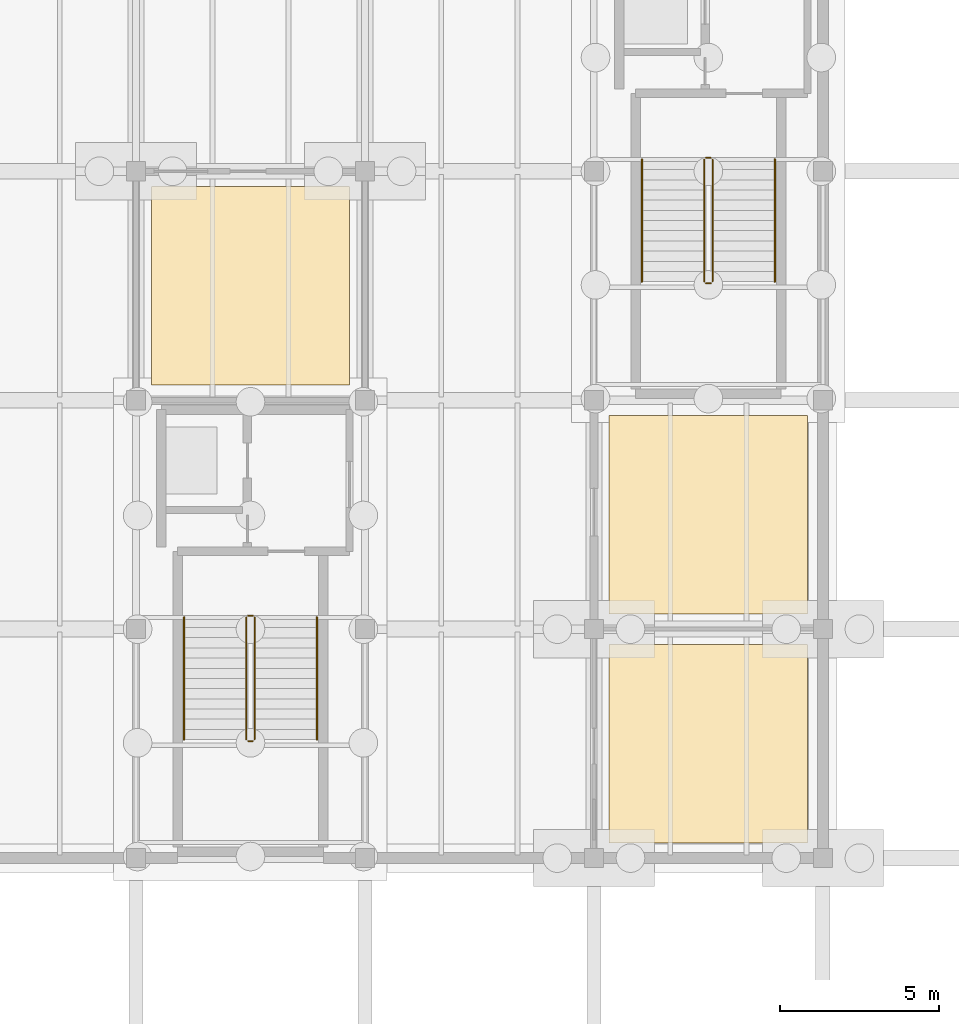
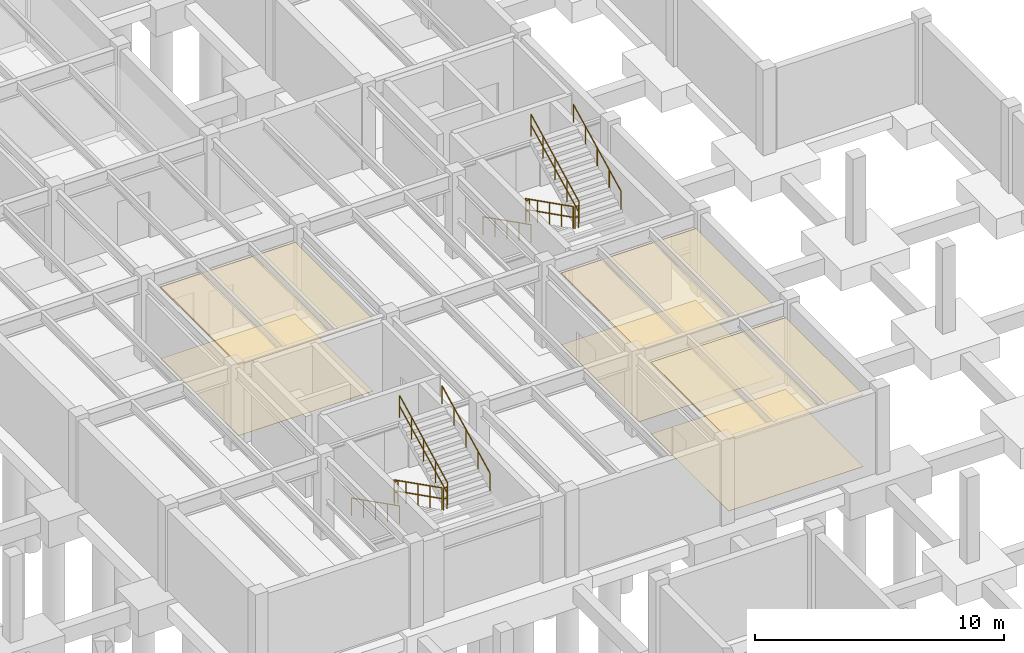
# One storey, part 42 of 46: 12 railings, 6 coverings.
"""IFC4 building model written with IfcOpenShell, lengths in metres."""

from ifc_helpers import new_model, si_unit, direction, frame, origin, origin_2d, place, context, subcontext, project, spatial, polyline, circle, outline, extrude, material, layer, layer_set, type_object, element, save


model = new_model("IFC4")

# Units and contexts
model_context = context("Model", 3, precision=1e-05, world=origin(), true_north=direction((0.0, 1.0)))
body_context = subcontext(model_context, "Body", "Model", "MODEL_VIEW")
ifc_project = project(units=[si_unit("LENGTHUNIT", "METRE"), si_unit("AREAUNIT", "SQUARE_METRE"), si_unit("VOLUMEUNIT", "CUBIC_METRE"), si_unit("PLANEANGLEUNIT", "RADIAN"), si_unit("MASSUNIT", "GRAM", prefix="KILO")], contexts=[model_context])

# Site, building, storey
site_placement = place(None, origin())
site = spatial("IfcSite", under=ifc_project, at=site_placement, CompositionType="ELEMENT")
building_placement = place(site_placement, origin())
building = spatial("IfcBuilding", under=site, at=building_placement, Name="Sillqori Civic Hall", CompositionType="ELEMENT")
storey_placement = place(building_placement, frame((0.0, 0.0, -4.199951171875)))
storey = spatial("IfcBuildingStorey", under=building, at=storey_placement, Name="B01", CompositionType="ELEMENT", Elevation=-4.199951171875)

# Coverings
ifc_material_1 = material(Name="Acoustic Gypsum Board Assembly 28", Category="gypsum")
ifc_layer_1 = layer(ifc_material_1, 0.028076171875)
ifc_layer_set_1 = layer_set([ifc_layer_1], Name="Acoustic Gypsum Board Assembly 28")
covering_type_1 = type_object("IfcCoveringType", Name="COV-CEIL-G28", PredefinedType="CEILING", material=ifc_layer_set_1)
covering_1_placement = place(storey_placement, frame((0.0, 0.0, 3.501953125)))
element("IfcCovering", 1, at=covering_1_placement, inside=storey, type_object=covering_type_1, Name="Main Medium-Voltage Transformer Room B01-11 acoustic ceiling", PredefinedType="CEILING", context=body_context, shape_type="SweptSolid", body=[
    extrude(outline(polyline([(122.8798828125, 43.679931640625), (129.1201171875, 43.679931640625), (129.1201171875, 49.919921875), (122.8798828125, 49.919921875), (122.8798828125, 43.679931640625)])), origin(), (0.0, 0.0, 1.0), 0.028076171875),
])
ifc_material_2 = material(Name="Acoustic Wool Metal Plank 76", Category="aluminium")
ifc_layer_2 = layer(ifc_material_2, 0.075927734375)
ifc_layer_set_2 = layer_set([ifc_layer_2], Name="Acoustic Wool Metal Plank 76")
covering_type_2 = type_object("IfcCoveringType", Name="COV-CEIL-M76", PredefinedType="CEILING", material=ifc_layer_set_2)
covering_2_placement = place(storey_placement, frame((0.0, 0.0, 3.453857421875)))
element("IfcCovering", 2, at=covering_2_placement, inside=storey, type_object=covering_type_2, Name="Municipal Records Storage Vault acoustic ceiling", PredefinedType="CEILING", context=body_context, shape_type="SweptSolid", body=[
    extrude(outline(polyline([(108.47998046875, 50.8798828125), (114.719970703125, 50.8798828125), (114.719970703125, 57.1201171875), (108.47998046875, 57.1201171875), (108.47998046875, 50.8798828125)])), origin(), (0.0, 0.0, 1.0), 0.076171875),
])
ifc_material_3 = material(Name="Micro-Perforated Aluminium Plank Ceiling", Category="aluminium")
ifc_layer_3 = layer(ifc_material_3, 0.035888671875)
ifc_layer_set_3 = layer_set([ifc_layer_3], Name="Micro-Perforated Aluminium Plank Ceiling")
covering_type_3 = type_object("IfcCoveringType", Name="COV-CEIL-MET", PredefinedType="CEILING", material=ifc_layer_set_3)
covering_3_placement = place(storey_placement, frame((0.0, 0.0, 3.493896484375)))
element("IfcCovering", 3, at=covering_3_placement, inside=storey, type_object=covering_type_3, Name="Municipal Records Storage Vault B01-10 acoustic ceiling", PredefinedType="CEILING", context=body_context, shape_type="SweptSolid", body=[
    extrude(outline(polyline([(122.8798828125, 36.47998046875), (129.1201171875, 36.47998046875), (129.1201171875, 42.719970703125), (122.8798828125, 42.719970703125), (122.8798828125, 36.47998046875)])), origin(), (0.0, 0.0, 1.0), 0.0361328125),
])
ifc_material_4 = material(Name="Dust-Sealed Heavy-Duty Archive Epoxy", Category="resin")
ifc_layer_4 = layer(ifc_material_4, 0.014892578125)
ifc_layer_set_4 = layer_set([ifc_layer_4], Name="Dust-Sealed Heavy-Duty Archive Epoxy")
covering_type_4 = type_object("IfcCoveringType", Name="COV-FLR-EPX", PredefinedType="FLOORING", material=ifc_layer_set_4)
covering_4_placement = place(storey_placement, origin())
element("IfcCovering", 4, at=covering_4_placement, inside=storey, type_object=covering_type_4, Name="Municipal Records Storage Vault B01-10 floor finish", PredefinedType="FLOORING", context=body_context, shape_type="SweptSolid", body=[
    extrude(outline(polyline([(122.8798828125, 36.47998046875), (129.1201171875, 36.47998046875), (129.1201171875, 42.719970703125), (122.8798828125, 42.719970703125), (122.8798828125, 36.47998046875)])), origin(), (0.0, 0.0, 1.0), 0.014892578125),
])
covering_5_placement = place(storey_placement, origin())
element("IfcCovering", 5, at=covering_5_placement, inside=storey, type_object=covering_type_4, Name="Main Medium-Voltage Transformer Room B01-11 floor finish", PredefinedType="FLOORING", context=body_context, shape_type="SweptSolid", body=[
    extrude(outline(polyline([(122.8798828125, 43.679931640625), (129.1201171875, 43.679931640625), (129.1201171875, 49.919921875), (122.8798828125, 49.919921875), (122.8798828125, 43.679931640625)])), origin(), (0.0, 0.0, 1.0), 0.014892578125),
])
ifc_material_5 = material(Name="Seamless Polyurethane Acoustic Screed 12", Category="resin")
ifc_layer_5 = layer(ifc_material_5, 0.011962890625)
ifc_layer_set_5 = layer_set([ifc_layer_5], Name="Seamless Polyurethane Acoustic Screed 12")
covering_type_5 = type_object("IfcCoveringType", Name="COV-FLR-R12", PredefinedType="FLOORING", material=ifc_layer_set_5)
covering_6_placement = place(storey_placement, origin())
element("IfcCovering", 6, at=covering_6_placement, inside=storey, type_object=covering_type_5, Name="Municipal Records Storage Vault floor finish", PredefinedType="FLOORING", context=body_context, shape_type="SweptSolid", body=[
    extrude(outline(polyline([(108.47998046875, 50.8798828125), (114.719970703125, 50.8798828125), (114.719970703125, 57.1201171875), (108.47998046875, 57.1201171875), (108.47998046875, 50.8798828125)])), origin(), (0.0, 0.0, 1.0), 0.011962890625),
])

# Railings
ifc_material_6 = material(Name="Brushed Stainless Steel 316 Handrail", Category="steel")
ifc_layer_6 = layer(ifc_material_6, 0.044921875)
ifc_layer_set_6 = layer_set([ifc_layer_6], Name="Brushed Stainless Steel 316 Handrail")
railing_type_1 = type_object("IfcRailingType", Name="RLG-CORE-092", PredefinedType="HANDRAIL", material=ifc_layer_set_6)
railing_1_placement = place(storey_placement, frame((123.909912109375, 57.969970703125, 0.161376953125)))
element("IfcRailing", 7, at=railing_1_placement, inside=storey, type_object=railing_type_1, Name="B01 ST-02 stair handrail 1", PredefinedType="HANDRAIL", context=body_context, shape_type="SweptSolid", body=[
    extrude(circle(Radius=0.02392578125, at=origin_2d()), frame((0.0, 0.0, 0.8759765625), z_axis=(0.0, -0.892706606903, 0.450638340569), x_axis=(1.0, 0.0, 0.0)), (0.0, 0.0, 1.0), 4.301513671875),
    extrude(circle(Radius=0.02099609375, at=origin_2d()), origin(), (0.0, 0.0, 1.0), 0.851806640625),
    extrude(circle(Radius=0.02099609375, at=origin_2d()), frame((0.0, -0.9599609375, 0.484619140625)), (0.0, 0.0, 1.0), 0.851806640625),
    extrude(circle(Radius=0.02099609375, at=origin_2d()), frame((0.0, -1.919921875, 0.96923828125)), (0.0, 0.0, 1.0), 0.851806640625),
    extrude(circle(Radius=0.02099609375, at=origin_2d()), frame((0.0, -2.880126953125, 1.453857421875)), (0.0, 0.0, 1.0), 0.851806640625),
    extrude(circle(Radius=0.02099609375, at=origin_2d()), frame((0.0, -3.840087890625, 1.9384765625)), (0.0, 0.0, 1.0), 0.851806640625),
])
railing_2_placement = place(storey_placement, frame((128.090087890625, 54.1298828125, 2.261474609375)))
element("IfcRailing", 8, at=railing_2_placement, inside=storey, type_object=railing_type_1, Name="B01 ST-02 stair handrail 2", PredefinedType="HANDRAIL", context=body_context, shape_type="SweptSolid", body=[
    extrude(circle(Radius=0.02392578125, at=origin_2d()), frame((0.0, 0.0, 0.8759765625), z_axis=(0.0, 0.892706606903, 0.450638340569), x_axis=(-1.0, 0.0, 0.0)), (0.0, 0.0, 1.0), 4.301513671875),
    extrude(circle(Radius=0.02099609375, at=origin_2d()), origin(), (0.0, 0.0, 1.0), 0.851806640625),
    extrude(circle(Radius=0.02099609375, at=origin_2d()), frame((0.0, 0.9599609375, 0.484619140625)), (0.0, 0.0, 1.0), 0.851806640625),
    extrude(circle(Radius=0.02099609375, at=origin_2d()), frame((0.0, 1.919921875, 0.96923828125)), (0.0, 0.0, 1.0), 0.851806640625),
    extrude(circle(Radius=0.02099609375, at=origin_2d()), frame((0.0, 2.880126953125, 1.453857421875)), (0.0, 0.0, 1.0), 0.851806640625),
    extrude(circle(Radius=0.02099609375, at=origin_2d()), frame((0.0, 3.840087890625, 1.9384765625)), (0.0, 0.0, 1.0), 0.851806640625),
])
railing_3_placement = place(storey_placement, frame((109.510009765625, 43.570068359375, 0.161376953125)))
element("IfcRailing", 9, at=railing_3_placement, inside=storey, type_object=railing_type_1, Name="B01 ST-03 stair handrail 1", PredefinedType="HANDRAIL", context=body_context, shape_type="SweptSolid", body=[
    extrude(circle(Radius=0.02392578125, at=origin_2d()), frame((0.0, 0.0, 0.8759765625), z_axis=(0.0, -0.892706606903, 0.450638340569), x_axis=(1.0, 0.0, 0.0)), (0.0, 0.0, 1.0), 4.301513671875),
    extrude(circle(Radius=0.02099609375, at=origin_2d()), origin(), (0.0, 0.0, 1.0), 0.851806640625),
    extrude(circle(Radius=0.02099609375, at=origin_2d()), frame((0.0, -0.9599609375, 0.484619140625)), (0.0, 0.0, 1.0), 0.851806640625),
    extrude(circle(Radius=0.02099609375, at=origin_2d()), frame((0.0, -1.919921875, 0.96923828125)), (0.0, 0.0, 1.0), 0.851806640625),
    extrude(circle(Radius=0.02099609375, at=origin_2d()), frame((0.0, -2.880126953125, 1.453857421875)), (0.0, 0.0, 1.0), 0.851806640625),
    extrude(circle(Radius=0.02099609375, at=origin_2d()), frame((0.0, -3.840087890625, 1.9384765625)), (0.0, 0.0, 1.0), 0.851806640625),
])
railing_4_placement = place(storey_placement, frame((113.68994140625, 39.72998046875, 2.261474609375)))
element("IfcRailing", 10, at=railing_4_placement, inside=storey, type_object=railing_type_1, Name="B01 ST-03 stair handrail 2", PredefinedType="HANDRAIL", context=body_context, shape_type="SweptSolid", body=[
    extrude(circle(Radius=0.02392578125, at=origin_2d()), frame((0.0, 0.0, 0.8759765625), z_axis=(0.0, 0.892706606903, 0.450638340569), x_axis=(-1.0, 0.0, 0.0)), (0.0, 0.0, 1.0), 4.301513671875),
    extrude(circle(Radius=0.02099609375, at=origin_2d()), origin(), (0.0, 0.0, 1.0), 0.851806640625),
    extrude(circle(Radius=0.02099609375, at=origin_2d()), frame((0.0, 0.9599609375, 0.484619140625)), (0.0, 0.0, 1.0), 0.851806640625),
    extrude(circle(Radius=0.02099609375, at=origin_2d()), frame((0.0, 1.919921875, 0.96923828125)), (0.0, 0.0, 1.0), 0.851806640625),
    extrude(circle(Radius=0.02099609375, at=origin_2d()), frame((0.0, 2.880126953125, 1.453857421875)), (0.0, 0.0, 1.0), 0.851806640625),
    extrude(circle(Radius=0.02099609375, at=origin_2d()), frame((0.0, 3.840087890625, 1.9384765625)), (0.0, 0.0, 1.0), 0.851806640625),
])
ifc_material_7 = material(Name="Galvanized Painted Steel Guardrail", Category="steel")
ifc_layer_7 = layer(ifc_material_7, 0.050048828125)
ifc_layer_set_7 = layer_set([ifc_layer_7], Name="Galvanized Painted Steel Guardrail")
railing_type_2 = type_object("IfcRailingType", Name="RLG-CORE-110", PredefinedType="GUARDRAIL", material=ifc_layer_set_7)
railing_5_placement = place(storey_placement, frame((125.8701171875, 57.969970703125, 0.161376953125)))
element("IfcRailing", 11, at=railing_5_placement, inside=storey, type_object=railing_type_2, Name="B01 ST-02 stair guard 1", PredefinedType="GUARDRAIL", context=body_context, shape_type="SweptSolid", body=[
    extrude(circle(Radius=0.02392578125, at=origin_2d()), frame((0.0, 0.0, 1.076171875), z_axis=(0.0, -0.892706606903, 0.450638340569), x_axis=(1.0, 0.0, 0.0)), (0.0, 0.0, 1.0), 4.301513671875),
    extrude(circle(Radius=0.02392578125, at=origin_2d()), frame((0.0, 0.0, 0.550048828125), z_axis=(0.0, -0.892706606903, 0.450638340569), x_axis=(1.0, 0.0, 0.0)), (0.0, 0.0, 1.0), 4.301513671875),
    extrude(circle(Radius=0.02099609375, at=origin_2d()), origin(), (0.0, 0.0, 1.0), 1.052001953125),
    extrude(circle(Radius=0.02099609375, at=origin_2d()), frame((0.0, -0.9599609375, 0.484619140625)), (0.0, 0.0, 1.0), 1.052001953125),
    extrude(circle(Radius=0.02099609375, at=origin_2d()), frame((0.0, -1.919921875, 0.96923828125)), (0.0, 0.0, 1.0), 1.052001953125),
    extrude(circle(Radius=0.02099609375, at=origin_2d()), frame((0.0, -2.880126953125, 1.453857421875)), (0.0, 0.0, 1.0), 1.052001953125),
    extrude(circle(Radius=0.02099609375, at=origin_2d()), frame((0.0, -3.840087890625, 1.9384765625)), (0.0, 0.0, 1.0), 1.052001953125),
])
railing_6_placement = place(storey_placement, frame((125.919921875, 54.080078125, 2.099853515625)))
element("IfcRailing", 12, at=railing_6_placement, inside=storey, type_object=railing_type_2, Name="B01 ST-02 stair guard 2", PredefinedType="GUARDRAIL", context=body_context, shape_type="SweptSolid", body=[
    extrude(circle(Radius=0.02392578125, at=origin_2d()), frame((0.0, 0.0, 1.076171875), z_axis=(1.0, 0.0, 0.0), x_axis=(0.0, 1.0, 0.0)), (0.0, 0.0, 1.0), 0.16015625),
    extrude(circle(Radius=0.02392578125, at=origin_2d()), frame((0.0, 0.0, 0.550048828125), z_axis=(1.0, 0.0, 0.0), x_axis=(0.0, 1.0, 0.0)), (0.0, 0.0, 1.0), 0.16015625),
    extrude(circle(Radius=0.02099609375, at=origin_2d()), origin(), (0.0, 0.0, 1.0), 1.052001953125),
    extrude(circle(Radius=0.02099609375, at=origin_2d()), frame((0.16015625, 0.0, 0.0)), (0.0, 0.0, 1.0), 1.052001953125),
])
railing_7_placement = place(storey_placement, frame((126.1298828125, 54.1298828125, 2.261474609375)))
element("IfcRailing", 13, at=railing_7_placement, inside=storey, type_object=railing_type_2, Name="B01 ST-02 stair guard 3", PredefinedType="GUARDRAIL", context=body_context, shape_type="SweptSolid", body=[
    extrude(circle(Radius=0.02392578125, at=origin_2d()), frame((0.0, 0.0, 1.076171875), z_axis=(0.0, 0.892706606903, 0.450638340569), x_axis=(-1.0, 0.0, 0.0)), (0.0, 0.0, 1.0), 4.301513671875),
    extrude(circle(Radius=0.02392578125, at=origin_2d()), frame((0.0, 0.0, 0.550048828125), z_axis=(0.0, 0.892706606903, 0.450638340569), x_axis=(-1.0, 0.0, 0.0)), (0.0, 0.0, 1.0), 4.301513671875),
    extrude(circle(Radius=0.02099609375, at=origin_2d()), origin(), (0.0, 0.0, 1.0), 1.052001953125),
    extrude(circle(Radius=0.02099609375, at=origin_2d()), frame((0.0, 0.9599609375, 0.484619140625)), (0.0, 0.0, 1.0), 1.052001953125),
    extrude(circle(Radius=0.02099609375, at=origin_2d()), frame((0.0, 1.919921875, 0.96923828125)), (0.0, 0.0, 1.0), 1.052001953125),
    extrude(circle(Radius=0.02099609375, at=origin_2d()), frame((0.0, 2.880126953125, 1.453857421875)), (0.0, 0.0, 1.0), 1.052001953125),
    extrude(circle(Radius=0.02099609375, at=origin_2d()), frame((0.0, 3.840087890625, 1.9384765625)), (0.0, 0.0, 1.0), 1.052001953125),
])
railing_8_placement = place(storey_placement, frame((125.919921875, 58.02001953125, 0.0)))
element("IfcRailing", 14, at=railing_8_placement, inside=storey, type_object=railing_type_2, Name="B01 ST-02 stair guard 4", PredefinedType="GUARDRAIL", context=body_context, shape_type="SweptSolid", body=[
    extrude(circle(Radius=0.02392578125, at=origin_2d()), frame((0.0, 0.0, 1.076171875), z_axis=(1.0, 0.0, 0.0), x_axis=(0.0, 1.0, 0.0)), (0.0, 0.0, 1.0), 0.16015625),
    extrude(circle(Radius=0.02392578125, at=origin_2d()), frame((0.0, 0.0, 0.550048828125), z_axis=(1.0, 0.0, 0.0), x_axis=(0.0, 1.0, 0.0)), (0.0, 0.0, 1.0), 0.16015625),
    extrude(circle(Radius=0.02099609375, at=origin_2d()), origin(), (0.0, 0.0, 1.0), 1.052001953125),
    extrude(circle(Radius=0.02099609375, at=origin_2d()), frame((0.16015625, 0.0, 0.0)), (0.0, 0.0, 1.0), 1.052001953125),
])
railing_9_placement = place(storey_placement, frame((111.469970703125, 43.570068359375, 0.161376953125)))
element("IfcRailing", 15, at=railing_9_placement, inside=storey, type_object=railing_type_2, Name="B01 ST-03 stair guard 1", PredefinedType="GUARDRAIL", context=body_context, shape_type="SweptSolid", body=[
    extrude(circle(Radius=0.02392578125, at=origin_2d()), frame((0.0, 0.0, 1.076171875), z_axis=(0.0, -0.892706606903, 0.450638340569), x_axis=(1.0, 0.0, 0.0)), (0.0, 0.0, 1.0), 4.301513671875),
    extrude(circle(Radius=0.02392578125, at=origin_2d()), frame((0.0, 0.0, 0.550048828125), z_axis=(0.0, -0.892706606903, 0.450638340569), x_axis=(1.0, 0.0, 0.0)), (0.0, 0.0, 1.0), 4.301513671875),
    extrude(circle(Radius=0.02099609375, at=origin_2d()), origin(), (0.0, 0.0, 1.0), 1.052001953125),
    extrude(circle(Radius=0.02099609375, at=origin_2d()), frame((0.0, -0.9599609375, 0.484619140625)), (0.0, 0.0, 1.0), 1.052001953125),
    extrude(circle(Radius=0.02099609375, at=origin_2d()), frame((0.0, -1.919921875, 0.96923828125)), (0.0, 0.0, 1.0), 1.052001953125),
    extrude(circle(Radius=0.02099609375, at=origin_2d()), frame((0.0, -2.880126953125, 1.453857421875)), (0.0, 0.0, 1.0), 1.052001953125),
    extrude(circle(Radius=0.02099609375, at=origin_2d()), frame((0.0, -3.840087890625, 1.9384765625)), (0.0, 0.0, 1.0), 1.052001953125),
])
railing_10_placement = place(storey_placement, frame((111.52001953125, 39.679931640625, 2.099853515625)))
element("IfcRailing", 16, at=railing_10_placement, inside=storey, type_object=railing_type_2, Name="B01 ST-03 stair guard 2", PredefinedType="GUARDRAIL", context=body_context, shape_type="SweptSolid", body=[
    extrude(circle(Radius=0.02392578125, at=origin_2d()), frame((0.0, 0.0, 1.076171875), z_axis=(1.0, 0.0, 0.0), x_axis=(0.0, 1.0, 0.0)), (0.0, 0.0, 1.0), 0.159912109375),
    extrude(circle(Radius=0.02392578125, at=origin_2d()), frame((0.0, 0.0, 0.550048828125), z_axis=(1.0, 0.0, 0.0), x_axis=(0.0, 1.0, 0.0)), (0.0, 0.0, 1.0), 0.159912109375),
    extrude(circle(Radius=0.02099609375, at=origin_2d()), origin(), (0.0, 0.0, 1.0), 1.052001953125),
    extrude(circle(Radius=0.02099609375, at=origin_2d()), frame((0.159912109375, 0.0, 0.0)), (0.0, 0.0, 1.0), 1.052001953125),
])
railing_11_placement = place(storey_placement, frame((111.72998046875, 39.72998046875, 2.261474609375)))
element("IfcRailing", 17, at=railing_11_placement, inside=storey, type_object=railing_type_2, Name="B01 ST-03 stair guard 3", PredefinedType="GUARDRAIL", context=body_context, shape_type="SweptSolid", body=[
    extrude(circle(Radius=0.02392578125, at=origin_2d()), frame((0.0, 0.0, 1.076171875), z_axis=(0.0, 0.892706606903, 0.450638340569), x_axis=(-1.0, 0.0, 0.0)), (0.0, 0.0, 1.0), 4.301513671875),
    extrude(circle(Radius=0.02392578125, at=origin_2d()), frame((0.0, 0.0, 0.550048828125), z_axis=(0.0, 0.892706606903, 0.450638340569), x_axis=(-1.0, 0.0, 0.0)), (0.0, 0.0, 1.0), 4.301513671875),
    extrude(circle(Radius=0.02099609375, at=origin_2d()), origin(), (0.0, 0.0, 1.0), 1.052001953125),
    extrude(circle(Radius=0.02099609375, at=origin_2d()), frame((0.0, 0.9599609375, 0.484619140625)), (0.0, 0.0, 1.0), 1.052001953125),
    extrude(circle(Radius=0.02099609375, at=origin_2d()), frame((0.0, 1.919921875, 0.96923828125)), (0.0, 0.0, 1.0), 1.052001953125),
    extrude(circle(Radius=0.02099609375, at=origin_2d()), frame((0.0, 2.880126953125, 1.453857421875)), (0.0, 0.0, 1.0), 1.052001953125),
    extrude(circle(Radius=0.02099609375, at=origin_2d()), frame((0.0, 3.840087890625, 1.9384765625)), (0.0, 0.0, 1.0), 1.052001953125),
])
railing_12_placement = place(storey_placement, frame((111.52001953125, 43.6201171875, 0.0)))
element("IfcRailing", 18, at=railing_12_placement, inside=storey, type_object=railing_type_2, Name="B01 ST-03 stair guard 4", PredefinedType="GUARDRAIL", context=body_context, shape_type="SweptSolid", body=[
    extrude(circle(Radius=0.02392578125, at=origin_2d()), frame((0.0, 0.0, 1.076171875), z_axis=(1.0, 0.0, 0.0), x_axis=(0.0, 1.0, 0.0)), (0.0, 0.0, 1.0), 0.159912109375),
    extrude(circle(Radius=0.02392578125, at=origin_2d()), frame((0.0, 0.0, 0.550048828125), z_axis=(1.0, 0.0, 0.0), x_axis=(0.0, 1.0, 0.0)), (0.0, 0.0, 1.0), 0.159912109375),
    extrude(circle(Radius=0.02099609375, at=origin_2d()), origin(), (0.0, 0.0, 1.0), 1.052001953125),
    extrude(circle(Radius=0.02099609375, at=origin_2d()), frame((0.159912109375, 0.0, 0.0)), (0.0, 0.0, 1.0), 1.052001953125),
])

save(model, "model.ifc")
